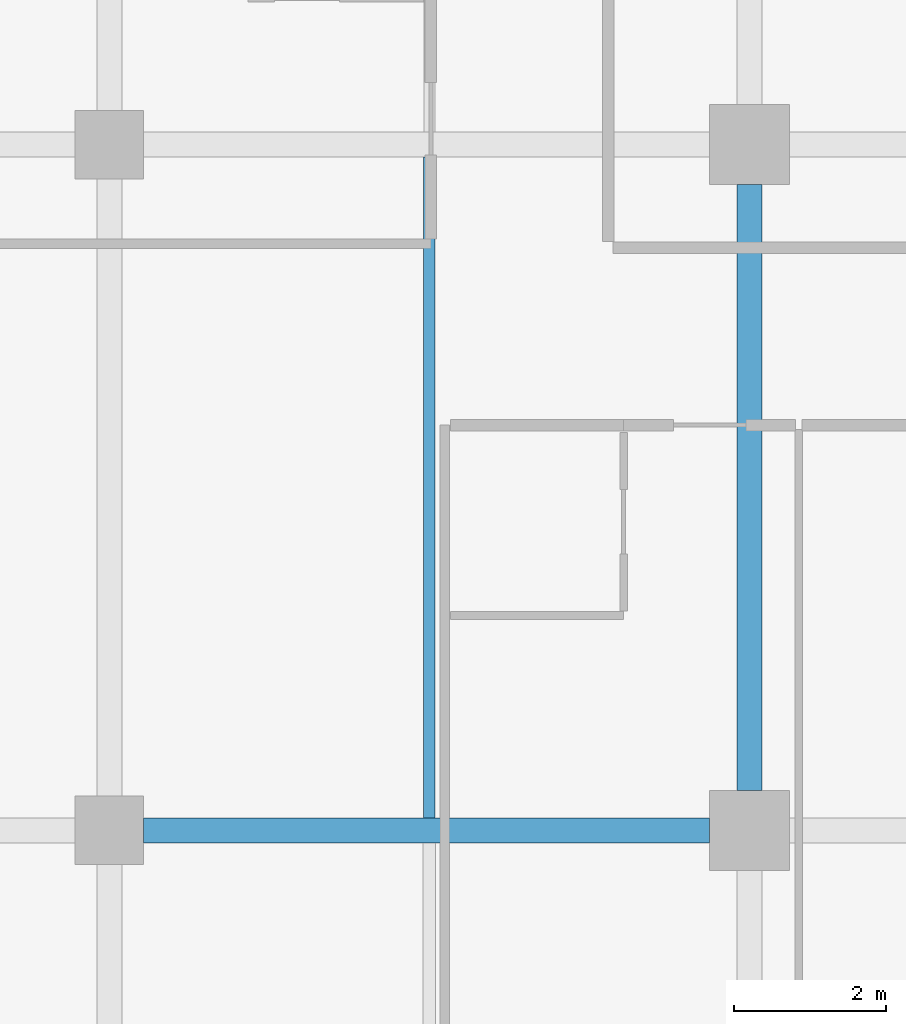
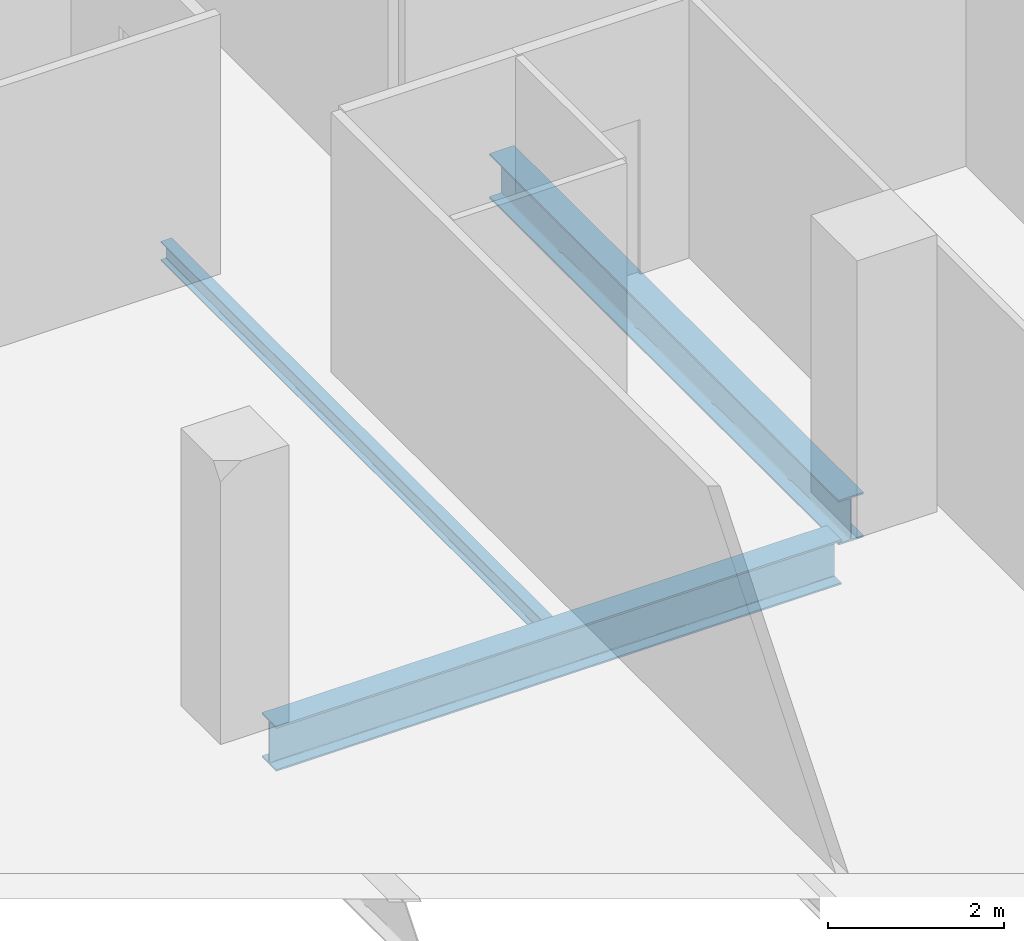
# One storey, part 6 of 39: 3 beams.
"""IFC4 building model written with IfcOpenShell, lengths in metres."""

from ifc_helpers import new_model, si_unit, direction, frame, origin, origin_2d, place, context, subcontext, project, spatial, i_section, extrude, material, material_profile, profile_set, type_object, element, save


model = new_model("IFC4")

# Units and contexts
model_context = context("Model", 3, precision=1e-05, world=origin(), true_north=direction((0.0, 1.0)))
body_context = subcontext(model_context, "Body", "Model", "MODEL_VIEW")
ifc_project = project(units=[si_unit("LENGTHUNIT", "METRE"), si_unit("AREAUNIT", "SQUARE_METRE"), si_unit("VOLUMEUNIT", "CUBIC_METRE"), si_unit("PLANEANGLEUNIT", "RADIAN"), si_unit("MASSUNIT", "GRAM", prefix="KILO")], contexts=[model_context])

# Site, building, storey
site_placement = place(None, origin())
site = spatial("IfcSite", under=ifc_project, at=site_placement, CompositionType="ELEMENT")
building_placement = place(site_placement, origin())
building = spatial("IfcBuilding", under=site, at=building_placement, Name="Maruvema Waterfront Hotel and Observation Tower", CompositionType="ELEMENT")
storey_placement = place(building_placement, frame((0.0, 0.0, 46.199951171875)))
storey = spatial("IfcBuildingStorey", under=building, at=storey_placement, Name="L10", CompositionType="ELEMENT", Elevation=46.199951171875)

# Beams
ifc_material_1 = material(Name="Steel ASTM A572 Grade 50", Category="steel")
ifc_material_profile_1 = material_profile(ifc_material_1, i_section(OverallWidth=0.326904296875, OverallDepth=0.6220703125, WebThickness=0.015380859375, FlangeThickness=0.0244140625, FilletRadius=0.01806640625, at=origin_2d()), Name="W610x195.0")
ifc_profile_set_1 = profile_set([ifc_material_profile_1], Name="Steel ASTM A572 Grade 50")
beam_type_1 = type_object("IfcBeamType", Name="Primary Floor Girder W610x195.0", PredefinedType="BEAM", material=ifc_profile_set_1)
beam_1_placement = place(storey_placement, frame((17.25, 9.0, -0.551025390625), z_axis=(1.0, 0.0, 0.0), x_axis=(0.0, 1.0, 0.0)))
element("IfcBeam", 1, at=beam_1_placement, inside=storey, type_object=beam_type_1, Name="L10 Floor Girder EW-07", PredefinedType="BEAM", context=body_context, shape_type="SweptSolid", body=[
    extrude(i_section(OverallWidth=0.326904296875, OverallDepth=0.6220703125, WebThickness=0.015380859375, FlangeThickness=0.0244140625, FilletRadius=0.01806640625, at=origin_2d()), origin(), (0.0, 0.0, 1.0), 7.425048828125),
])
beam_2_placement = place(storey_placement, frame((25.199951171875, 9.52490234375, -0.551025390625), z_axis=(0.0, 1.0, 0.0), x_axis=(-1.0, 0.0, 0.0)))
element("IfcBeam", 2, at=beam_2_placement, inside=storey, type_object=beam_type_1, Name="L10 Floor Girder NS-12", PredefinedType="BEAM", context=body_context, shape_type="SweptSolid", body=[
    extrude(i_section(OverallWidth=0.326904296875, OverallDepth=0.6220703125, WebThickness=0.015380859375, FlangeThickness=0.0244140625, FilletRadius=0.01806640625, at=origin_2d()), origin(), (0.0, 0.0, 1.0), 7.9501953125),
])
ifc_material_2 = material(Name="Steel ASTM A572 Grade 50", Category="steel")
ifc_material_profile_2 = material_profile(ifc_material_2, i_section(OverallWidth=0.14794921875, OverallDepth=0.26611328125, WebThickness=0.007568359375, FlangeThickness=0.012939453125, FilletRadius=0.012939453125, at=origin_2d()), Name="W250x44.8")
ifc_profile_set_2 = profile_set([ifc_material_profile_2], Name="Steel ASTM A572 Grade 50")
beam_type_2 = type_object("IfcBeamType", Name="Secondary Floor Joist W250x44.8", PredefinedType="JOIST", material=ifc_profile_set_2)
beam_3_placement = place(storey_placement, frame((21.0, 9.16357421875, -0.373046875), z_axis=(0.0, 1.0, 0.0), x_axis=(-1.0, 0.0, 0.0)))
element("IfcBeam", 3, at=beam_3_placement, inside=storey, type_object=beam_type_2, Name="L10 Secondary Floor Joist JS-06", PredefinedType="JOIST", context=body_context, shape_type="SweptSolid", body=[
    extrude(i_section(OverallWidth=0.14794921875, OverallDepth=0.26611328125, WebThickness=0.007568359375, FlangeThickness=0.012939453125, FilletRadius=0.012939453125, at=origin_2d()), origin(), (0.0, 0.0, 1.0), 8.6728515625),
])

save(model, "model.ifc")
